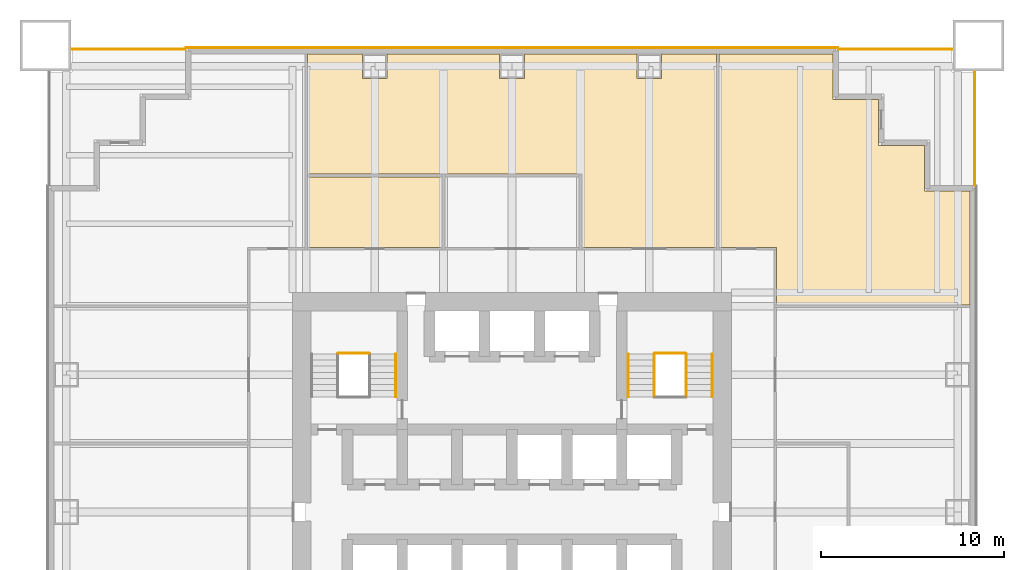
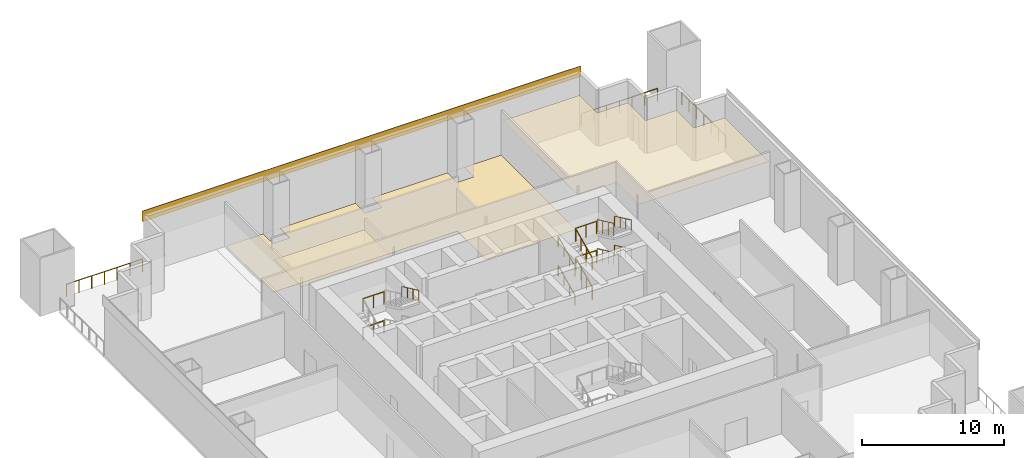
# One storey, part 6 of 6: 16 railings, 4 coverings.
"""IFC4 building model written with IfcOpenShell, lengths in metres."""

from ifc_helpers import new_model, si_unit, direction, frame, origin, origin_2d, place, context, subcontext, project, spatial, polyline, rectangle, circle, outline, extrude, material, layer, layer_set, type_object, element, save


model = new_model("IFC4")

# Units and contexts
model_context = context("Model", 3, precision=1e-05, world=origin(), true_north=direction((0.0, 1.0)))
body_context = subcontext(model_context, "Body", "Model", "MODEL_VIEW")
ifc_project = project(units=[si_unit("LENGTHUNIT", "METRE"), si_unit("AREAUNIT", "SQUARE_METRE"), si_unit("VOLUMEUNIT", "CUBIC_METRE"), si_unit("PLANEANGLEUNIT", "RADIAN"), si_unit("MASSUNIT", "GRAM", prefix="KILO")], contexts=[model_context])

# Site, building, storey
site_placement = place(None, origin())
site = spatial("IfcSite", under=ifc_project, at=site_placement, CompositionType="ELEMENT")
building_placement = place(site_placement, origin())
building = spatial("IfcBuilding", under=site, at=building_placement, Name="Tarangal Relay Tower", CompositionType="ELEMENT")
storey_placement = place(building_placement, frame((0.0, 0.0, 53.39990234375)))
storey = spatial("IfcBuildingStorey", under=building, at=storey_placement, Name="L10", CompositionType="ELEMENT", Elevation=53.39990234375)

# Coverings
ifc_material_1 = material(Name="Anti-static vinyl flooring", Category="plastic")
ifc_layer_1 = layer(ifc_material_1, 0.010009765625)
ifc_layer_set_1 = layer_set([ifc_layer_1], Name="Anti-static vinyl floor")
covering_type_1 = type_object("IfcCoveringType", Name="Anti-static vinyl floor", PredefinedType="FLOORING", material=ifc_layer_set_1)
covering_1_placement = place(storey_placement, origin())
element("IfcCovering", 1, at=covering_1_placement, inside=storey, type_object=covering_type_1, Name="Floor finish FL1 L10-03", PredefinedType="FLOORING", context=body_context, shape_type="SweptSolid", body=[
    extrude(outline(polyline([(11.175048828125, 25.050048828125), (-11.175048828125, 25.050048828125), (-11.175048828125, 18.47509765625), (3.824951171875, 18.47509765625), (3.824951171875, 14.47509765625), (11.175048828125, 14.47509765625), (11.175048828125, 25.050048828125)]), holes=[polyline([(-6.824951171875, 23.68994140625), (-6.824951171875, 25.0400390625), (-8.175048828125, 25.0400390625), (-8.175048828125, 23.68994140625), (-6.824951171875, 23.68994140625)]), polyline([(-0.675048828125, 23.68994140625), (0.675048828125, 23.68994140625), (0.675048828125, 25.0400390625), (-0.675048828125, 25.0400390625), (-0.675048828125, 23.68994140625)]), polyline([(6.824951171875, 23.68994140625), (8.175048828125, 23.68994140625), (8.175048828125, 25.0400390625), (6.824951171875, 25.0400390625), (6.824951171875, 23.68994140625)])]), origin(), (0.0, 0.0, 1.0), 0.010009765625),
])
ifc_material_2 = material(Name="Black anodised aluminium cladding", Category="aluminium")
ifc_layer_2 = layer(ifc_material_2, 0.050048828125)
ifc_layer_set_2 = layer_set([ifc_layer_2], Name="Black metal spandrel band")
covering_type_2 = type_object("IfcCoveringType", Name="Black metal spandrel band", PredefinedType="CLADDING", material=ifc_layer_set_2)
covering_2_placement = place(storey_placement, frame((0.0, 25.375, 4.250244140625), z_axis=(0.0, 0.0, 1.0), x_axis=(1.0, 0.0, 0.0)))
element("IfcCovering", 2, at=covering_2_placement, inside=storey, type_object=covering_type_2, Name="Spandrel band SB1 N L10", PredefinedType="CLADDING", context=body_context, shape_type="SweptSolid", body=[
    extrude(rectangle(XDim=35.699951171875, YDim=0.050048828125, at=origin_2d()), origin(), (0.0, 0.0, 1.0), 0.89990234375),
])

# Railings
ifc_material_3 = material(Name="Steel guard, black finish", Category="steel")
railing_type_1 = type_object("IfcRailingType", Name="Stair guard 1100", PredefinedType="GUARDRAIL", material=ifc_material_3)
for number, where, name in (
    (3, (-9.5, 8.675048828125, 1.25), "Stair ST-A landing guard GR1 L10"),
    (4, (-9.5, 8.675048828125, 3.75), "Stair ST-A landing guard GR1 L10"),
):
    element("IfcRailing", number, at=place(storey_placement, frame(where)), inside=storey, type_object=railing_type_1, Name=name, PredefinedType="GUARDRAIL", context=body_context, shape_type="SweptSolid", body=[
        extrude(circle(Radius=0.02392578125, at=origin_2d()), frame((0.0, 0.0, 1.076171875), z_axis=(1.0, 0.0, 0.0), x_axis=(0.0, 1.0, 0.0)), (0.0, 0.0, 1.0), 1.699951171875),
        extrude(circle(Radius=0.02099609375, at=origin_2d()), origin(), (0.0, 0.0, 1.0), 1.052001953125),
        extrude(circle(Radius=0.02099609375, at=origin_2d()), frame((0.85009765625, 0.0, 0.0)), (0.0, 0.0, 1.0), 1.052001953125),
        extrude(circle(Radius=0.02099609375, at=origin_2d()), frame((1.699951171875, 0.0, 0.0)), (0.0, 0.0, 1.0), 1.052001953125),
    ])
railing_1_placement = place(storey_placement, frame((7.77001953125, 6.300048828125, 0.15625)))
element("IfcRailing", 5, at=railing_1_placement, inside=storey, type_object=railing_type_1, Name="Stair ST-B guard GR1 L10 flight 1", PredefinedType="GUARDRAIL", context=body_context, shape_type="SweptSolid", body=[
    extrude(circle(Radius=0.02392578125, at=origin_2d()), frame((0.0, 0.0, 1.076171875), z_axis=(0.0, 0.90626748934, 0.422704669676), x_axis=(-1.0, 0.0, 0.0)), (0.0, 0.0, 1.0), 2.58740234375),
    extrude(circle(Radius=0.02099609375, at=origin_2d()), origin(), (0.0, 0.0, 1.0), 1.052001953125),
    extrude(circle(Radius=0.02099609375, at=origin_2d()), frame((0.0, 0.78173828125, 0.364501953125)), (0.0, 0.0, 1.0), 1.052001953125),
    extrude(circle(Radius=0.02099609375, at=origin_2d()), frame((0.0, 1.563232421875, 0.729248046875)), (0.0, 0.0, 1.0), 1.052001953125),
    extrude(circle(Radius=0.02099609375, at=origin_2d()), frame((0.0, 2.344970703125, 1.09375)), (0.0, 0.0, 1.0), 1.052001953125),
])
railing_2_placement = place(storey_placement, frame((9.530029296875, 8.64501953125, 1.40625)))
element("IfcRailing", 6, at=railing_2_placement, inside=storey, type_object=railing_type_1, Name="Stair ST-B guard GR1 L10 flight 2", PredefinedType="GUARDRAIL", context=body_context, shape_type="SweptSolid", body=[
    extrude(circle(Radius=0.02392578125, at=origin_2d()), frame((0.0, 0.0, 1.076171875), z_axis=(0.0, -0.90626748934, 0.422704669676), x_axis=(1.0, 0.0, 0.0)), (0.0, 0.0, 1.0), 2.58740234375),
    extrude(circle(Radius=0.02099609375, at=origin_2d()), origin(), (0.0, 0.0, 1.0), 1.052001953125),
    extrude(circle(Radius=0.02099609375, at=origin_2d()), frame((0.0, -0.78173828125, 0.364501953125)), (0.0, 0.0, 1.0), 1.052001953125),
    extrude(circle(Radius=0.02099609375, at=origin_2d()), frame((0.0, -1.563232421875, 0.729248046875)), (0.0, 0.0, 1.0), 1.052001953125),
    extrude(circle(Radius=0.02099609375, at=origin_2d()), frame((0.0, -2.344970703125, 1.09375)), (0.0, 0.0, 1.0), 1.052001953125),
])
railing_3_placement = place(storey_placement, frame((7.77001953125, 6.300048828125, 2.65625)))
element("IfcRailing", 7, at=railing_3_placement, inside=storey, type_object=railing_type_1, Name="Stair ST-B guard GR1 L10 flight 3", PredefinedType="GUARDRAIL", context=body_context, shape_type="SweptSolid", body=[
    extrude(circle(Radius=0.02392578125, at=origin_2d()), frame((0.0, 0.0, 1.076171875), z_axis=(0.0, 0.90626748934, 0.422704669676), x_axis=(-1.0, 0.0, 0.0)), (0.0, 0.0, 1.0), 2.58740234375),
    extrude(circle(Radius=0.02099609375, at=origin_2d()), origin(), (0.0, 0.0, 1.0), 1.052001953125),
    extrude(circle(Radius=0.02099609375, at=origin_2d()), frame((0.0, 0.78173828125, 0.364501953125)), (0.0, 0.0, 1.0), 1.052001953125),
    extrude(circle(Radius=0.02099609375, at=origin_2d()), frame((0.0, 1.563232421875, 0.729248046875)), (0.0, 0.0, 1.0), 1.052001953125),
    extrude(circle(Radius=0.02099609375, at=origin_2d()), frame((0.0, 2.344970703125, 1.09375)), (0.0, 0.0, 1.0), 1.052001953125),
])
railing_4_placement = place(storey_placement, frame((9.530029296875, 8.64501953125, 3.90625)))
element("IfcRailing", 8, at=railing_4_placement, inside=storey, type_object=railing_type_1, Name="Stair ST-B guard GR1 L10 flight 4", PredefinedType="GUARDRAIL", context=body_context, shape_type="SweptSolid", body=[
    extrude(circle(Radius=0.02392578125, at=origin_2d()), frame((0.0, 0.0, 1.076171875), z_axis=(0.0, -0.90626748934, 0.422704669676), x_axis=(1.0, 0.0, 0.0)), (0.0, 0.0, 1.0), 2.58740234375),
    extrude(circle(Radius=0.02099609375, at=origin_2d()), origin(), (0.0, 0.0, 1.0), 1.052001953125),
    extrude(circle(Radius=0.02099609375, at=origin_2d()), frame((0.0, -0.78173828125, 0.364501953125)), (0.0, 0.0, 1.0), 1.052001953125),
    extrude(circle(Radius=0.02099609375, at=origin_2d()), frame((0.0, -1.563232421875, 0.729248046875)), (0.0, 0.0, 1.0), 1.052001953125),
    extrude(circle(Radius=0.02099609375, at=origin_2d()), frame((0.0, -2.344970703125, 1.09375)), (0.0, 0.0, 1.0), 1.052001953125),
])
for number, where, name in (
    (9, (7.800048828125, 8.675048828125, 1.25), "Stair ST-B landing guard GR1 L10"),
    (10, (7.800048828125, 8.675048828125, 3.75), "Stair ST-B landing guard GR1 L10"),
):
    element("IfcRailing", number, at=place(storey_placement, frame(where)), inside=storey, type_object=railing_type_1, Name=name, PredefinedType="GUARDRAIL", context=body_context, shape_type="SweptSolid", body=[
        extrude(circle(Radius=0.02392578125, at=origin_2d()), frame((0.0, 0.0, 1.076171875), z_axis=(1.0, 0.0, 0.0), x_axis=(0.0, 1.0, 0.0)), (0.0, 0.0, 1.0), 1.699951171875),
        extrude(circle(Radius=0.02099609375, at=origin_2d()), origin(), (0.0, 0.0, 1.0), 1.052001953125),
        extrude(circle(Radius=0.02099609375, at=origin_2d()), frame((0.85009765625, 0.0, 0.0)), (0.0, 0.0, 1.0), 1.052001953125),
        extrude(circle(Radius=0.02099609375, at=origin_2d()), frame((1.699951171875, 0.0, 0.0)), (0.0, 0.0, 1.0), 1.052001953125),
    ])
ifc_material_4 = material(Name="Steel handrail, black finish", Category="steel")
railing_type_2 = type_object("IfcRailingType", Name="Stair handrail 900", PredefinedType="HANDRAIL", material=ifc_material_4)
railing_5_placement = place(storey_placement, frame((-6.360107421875, 8.64501953125, 3.90625)))
element("IfcRailing", 11, at=railing_5_placement, inside=storey, type_object=railing_type_2, Name="Stair ST-A handrail HR1 L10 flight 4", PredefinedType="HANDRAIL", context=body_context, shape_type="SweptSolid", body=[
    extrude(circle(Radius=0.02392578125, at=origin_2d()), frame((0.0, 0.0, 0.8759765625), z_axis=(0.0, -0.90626748934, 0.422704669676), x_axis=(1.0, 0.0, 0.0)), (0.0, 0.0, 1.0), 2.58740234375),
    extrude(circle(Radius=0.02099609375, at=origin_2d()), origin(), (0.0, 0.0, 1.0), 0.851806640625),
    extrude(circle(Radius=0.02099609375, at=origin_2d()), frame((0.0, -0.78173828125, 0.364501953125)), (0.0, 0.0, 1.0), 0.851806640625),
    extrude(circle(Radius=0.02099609375, at=origin_2d()), frame((0.0, -1.563232421875, 0.729248046875)), (0.0, 0.0, 1.0), 0.851806640625),
    extrude(circle(Radius=0.02099609375, at=origin_2d()), frame((0.0, -2.344970703125, 1.09375)), (0.0, 0.0, 1.0), 0.851806640625),
])
railing_6_placement = place(storey_placement, frame((6.360107421875, 6.300048828125, 0.15625)))
element("IfcRailing", 12, at=railing_6_placement, inside=storey, type_object=railing_type_2, Name="Stair ST-B handrail HR1 L10 flight 1", PredefinedType="HANDRAIL", context=body_context, shape_type="SweptSolid", body=[
    extrude(circle(Radius=0.02392578125, at=origin_2d()), frame((0.0, 0.0, 0.8759765625), z_axis=(0.0, 0.90626748934, 0.422704669676), x_axis=(-1.0, 0.0, 0.0)), (0.0, 0.0, 1.0), 2.58740234375),
    extrude(circle(Radius=0.02099609375, at=origin_2d()), origin(), (0.0, 0.0, 1.0), 0.851806640625),
    extrude(circle(Radius=0.02099609375, at=origin_2d()), frame((0.0, 0.78173828125, 0.364501953125)), (0.0, 0.0, 1.0), 0.851806640625),
    extrude(circle(Radius=0.02099609375, at=origin_2d()), frame((0.0, 1.563232421875, 0.729248046875)), (0.0, 0.0, 1.0), 0.851806640625),
    extrude(circle(Radius=0.02099609375, at=origin_2d()), frame((0.0, 2.344970703125, 1.09375)), (0.0, 0.0, 1.0), 0.851806640625),
])
railing_7_placement = place(storey_placement, frame((10.93994140625, 8.64501953125, 1.40625)))
element("IfcRailing", 13, at=railing_7_placement, inside=storey, type_object=railing_type_2, Name="Stair ST-B handrail HR1 L10 flight 2", PredefinedType="HANDRAIL", context=body_context, shape_type="SweptSolid", body=[
    extrude(circle(Radius=0.02392578125, at=origin_2d()), frame((0.0, 0.0, 0.8759765625), z_axis=(0.0, -0.90626748934, 0.422704669676), x_axis=(1.0, 0.0, 0.0)), (0.0, 0.0, 1.0), 2.58740234375),
    extrude(circle(Radius=0.02099609375, at=origin_2d()), origin(), (0.0, 0.0, 1.0), 0.851806640625),
    extrude(circle(Radius=0.02099609375, at=origin_2d()), frame((0.0, -0.78173828125, 0.364501953125)), (0.0, 0.0, 1.0), 0.851806640625),
    extrude(circle(Radius=0.02099609375, at=origin_2d()), frame((0.0, -1.563232421875, 0.729248046875)), (0.0, 0.0, 1.0), 0.851806640625),
    extrude(circle(Radius=0.02099609375, at=origin_2d()), frame((0.0, -2.344970703125, 1.09375)), (0.0, 0.0, 1.0), 0.851806640625),
])
railing_8_placement = place(storey_placement, frame((6.360107421875, 6.300048828125, 2.65625)))
element("IfcRailing", 14, at=railing_8_placement, inside=storey, type_object=railing_type_2, Name="Stair ST-B handrail HR1 L10 flight 3", PredefinedType="HANDRAIL", context=body_context, shape_type="SweptSolid", body=[
    extrude(circle(Radius=0.02392578125, at=origin_2d()), frame((0.0, 0.0, 0.8759765625), z_axis=(0.0, 0.90626748934, 0.422704669676), x_axis=(-1.0, 0.0, 0.0)), (0.0, 0.0, 1.0), 2.58740234375),
    extrude(circle(Radius=0.02099609375, at=origin_2d()), origin(), (0.0, 0.0, 1.0), 0.851806640625),
    extrude(circle(Radius=0.02099609375, at=origin_2d()), frame((0.0, 0.78173828125, 0.364501953125)), (0.0, 0.0, 1.0), 0.851806640625),
    extrude(circle(Radius=0.02099609375, at=origin_2d()), frame((0.0, 1.563232421875, 0.729248046875)), (0.0, 0.0, 1.0), 0.851806640625),
    extrude(circle(Radius=0.02099609375, at=origin_2d()), frame((0.0, 2.344970703125, 1.09375)), (0.0, 0.0, 1.0), 0.851806640625),
])
railing_9_placement = place(storey_placement, frame((10.93994140625, 8.64501953125, 3.90625)))
element("IfcRailing", 15, at=railing_9_placement, inside=storey, type_object=railing_type_2, Name="Stair ST-B handrail HR1 L10 flight 4", PredefinedType="HANDRAIL", context=body_context, shape_type="SweptSolid", body=[
    extrude(circle(Radius=0.02392578125, at=origin_2d()), frame((0.0, 0.0, 0.8759765625), z_axis=(0.0, -0.90626748934, 0.422704669676), x_axis=(1.0, 0.0, 0.0)), (0.0, 0.0, 1.0), 2.58740234375),
    extrude(circle(Radius=0.02099609375, at=origin_2d()), origin(), (0.0, 0.0, 1.0), 0.851806640625),
    extrude(circle(Radius=0.02099609375, at=origin_2d()), frame((0.0, -0.78173828125, 0.364501953125)), (0.0, 0.0, 1.0), 0.851806640625),
    extrude(circle(Radius=0.02099609375, at=origin_2d()), frame((0.0, -1.563232421875, 0.729248046875)), (0.0, 0.0, 1.0), 0.851806640625),
    extrude(circle(Radius=0.02099609375, at=origin_2d()), frame((0.0, -2.344970703125, 1.09375)), (0.0, 0.0, 1.0), 0.851806640625),
])

# Coverings
ifc_material_5 = material(Name="Mineral fibre ceiling tiles", Category="gypsum")
ifc_layer_3 = layer(ifc_material_5, 0.02001953125)
ifc_layer_set_3 = layer_set([ifc_layer_3], Name="Suspended ceiling")
covering_type_3 = type_object("IfcCoveringType", Name="Suspended ceiling", PredefinedType="CEILING", material=ifc_layer_set_3)
covering_3_placement = place(storey_placement, frame((0.0, 0.0, 2.900146484375)))
element("IfcCovering", 16, at=covering_3_placement, inside=storey, type_object=covering_type_3, Name="Suspended ceiling CL1 L10-02", PredefinedType="CEILING", context=body_context, shape_type="SweptSolid", body=[
    extrude(outline(polyline([(-11.175048828125, 18.324951171875), (-11.175048828125, 14.47509765625), (-3.824951171875, 14.47509765625), (-3.824951171875, 18.324951171875), (-11.175048828125, 18.324951171875)])), origin(), (0.0, 0.0, 1.0), 0.02001953125),
])
covering_4_placement = place(storey_placement, frame((0.0, 0.0, 2.900146484375)))
element("IfcCovering", 17, at=covering_4_placement, inside=storey, type_object=covering_type_3, Name="Suspended ceiling CL1 L10-12", PredefinedType="CEILING", context=body_context, shape_type="SweptSolid", body=[
    extrude(outline(polyline([(17.550048828125, 25.050048828125), (11.324951171875, 25.050048828125), (11.324951171875, 14.47509765625), (14.47509765625, 14.47509765625), (14.47509765625, 11.324951171875), (25.050048828125, 11.324951171875), (25.050048828125, 17.550048828125), (22.550048828125, 17.550048828125), (22.550048828125, 20.050048828125), (20.050048828125, 20.050048828125), (20.050048828125, 22.550048828125), (17.550048828125, 22.550048828125), (17.550048828125, 25.050048828125)])), origin(), (0.0, 0.0, 1.0), 0.02001953125),
])

# Railings
ifc_material_6 = material(Name="Black steel guard with glass infill", Category="steel")
railing_type_3 = type_object("IfcRailingType", Name="Terrace guard 1100", PredefinedType="GUARDRAIL", material=ifc_material_6)
railing_10_placement = place(storey_placement, frame((17.85009765625, 25.300048828125, 0.0)))
element("IfcRailing", 18, at=railing_10_placement, inside=storey, type_object=railing_type_3, Name="Terrace guard GR2 NE L10", PredefinedType="GUARDRAIL", context=body_context, shape_type="SweptSolid", body=[
    extrude(circle(Radius=0.02392578125, at=origin_2d()), frame((0.0, 0.0, 1.076171875), z_axis=(1.0, 0.0, 0.0), x_axis=(0.0, 1.0, 0.0)), (0.0, 0.0, 1.0), 6.199951171875),
    extrude(circle(Radius=0.02099609375, at=origin_2d()), origin(), (0.0, 0.0, 1.0), 1.052001953125),
    extrude(circle(Radius=0.02099609375, at=origin_2d()), frame((1.033203125, 0.0, 0.0)), (0.0, 0.0, 1.0), 1.052001953125),
    extrude(circle(Radius=0.02099609375, at=origin_2d()), frame((2.066650390625, 0.0, 0.0)), (0.0, 0.0, 1.0), 1.052001953125),
    extrude(circle(Radius=0.02099609375, at=origin_2d()), frame((3.10009765625, 0.0, 0.0)), (0.0, 0.0, 1.0), 1.052001953125),
    extrude(circle(Radius=0.02099609375, at=origin_2d()), frame((4.13330078125, 0.0, 0.0)), (0.0, 0.0, 1.0), 1.052001953125),
    extrude(circle(Radius=0.02099609375, at=origin_2d()), frame((5.16650390625, 0.0, 0.0)), (0.0, 0.0, 1.0), 1.052001953125),
    extrude(circle(Radius=0.02099609375, at=origin_2d()), frame((6.199951171875, 0.0, 0.0)), (0.0, 0.0, 1.0), 1.052001953125),
])
railing_11_placement = place(storey_placement, frame((25.300048828125, 24.050048828125, 0.0)))
element("IfcRailing", 19, at=railing_11_placement, inside=storey, type_object=railing_type_3, Name="Terrace guard GR2 NE L10", PredefinedType="GUARDRAIL", context=body_context, shape_type="SweptSolid", body=[
    extrude(circle(Radius=0.02392578125, at=origin_2d()), frame((0.0, 0.0, 1.076171875), z_axis=(0.0, -1.0, 0.0), x_axis=(1.0, 0.0, 0.0)), (0.0, 0.0, 1.0), 6.199951171875),
    extrude(circle(Radius=0.02099609375, at=origin_2d()), origin(), (0.0, 0.0, 1.0), 1.052001953125),
    extrude(circle(Radius=0.02099609375, at=origin_2d()), frame((0.0, -1.033203125, 0.0)), (0.0, 0.0, 1.0), 1.052001953125),
    extrude(circle(Radius=0.02099609375, at=origin_2d()), frame((0.0, -2.066650390625, 0.0)), (0.0, 0.0, 1.0), 1.052001953125),
    extrude(circle(Radius=0.02099609375, at=origin_2d()), frame((0.0, -3.10009765625, 0.0)), (0.0, 0.0, 1.0), 1.052001953125),
    extrude(circle(Radius=0.02099609375, at=origin_2d()), frame((0.0, -4.13330078125, 0.0)), (0.0, 0.0, 1.0), 1.052001953125),
    extrude(circle(Radius=0.02099609375, at=origin_2d()), frame((0.0, -5.16650390625, 0.0)), (0.0, 0.0, 1.0), 1.052001953125),
    extrude(circle(Radius=0.02099609375, at=origin_2d()), frame((0.0, -6.199951171875, 0.0)), (0.0, 0.0, 1.0), 1.052001953125),
])
railing_12_placement = place(storey_placement, frame((-24.050048828125, 25.300048828125, 0.0)))
element("IfcRailing", 20, at=railing_12_placement, inside=storey, type_object=railing_type_3, Name="Terrace guard GR2 NW L10", PredefinedType="GUARDRAIL", context=body_context, shape_type="SweptSolid", body=[
    extrude(circle(Radius=0.02392578125, at=origin_2d()), frame((0.0, 0.0, 1.076171875), z_axis=(1.0, 0.0, 0.0), x_axis=(0.0, 1.0, 0.0)), (0.0, 0.0, 1.0), 6.199951171875),
    extrude(circle(Radius=0.02099609375, at=origin_2d()), origin(), (0.0, 0.0, 1.0), 1.052001953125),
    extrude(circle(Radius=0.02099609375, at=origin_2d()), frame((1.033203125, 0.0, 0.0)), (0.0, 0.0, 1.0), 1.052001953125),
    extrude(circle(Radius=0.02099609375, at=origin_2d()), frame((2.066650390625, 0.0, 0.0)), (0.0, 0.0, 1.0), 1.052001953125),
    extrude(circle(Radius=0.02099609375, at=origin_2d()), frame((3.10009765625, 0.0, 0.0)), (0.0, 0.0, 1.0), 1.052001953125),
    extrude(circle(Radius=0.02099609375, at=origin_2d()), frame((4.13330078125, 0.0, 0.0)), (0.0, 0.0, 1.0), 1.052001953125),
    extrude(circle(Radius=0.02099609375, at=origin_2d()), frame((5.16650390625, 0.0, 0.0)), (0.0, 0.0, 1.0), 1.052001953125),
    extrude(circle(Radius=0.02099609375, at=origin_2d()), frame((6.199951171875, 0.0, 0.0)), (0.0, 0.0, 1.0), 1.052001953125),
])

save(model, "model.ifc")
